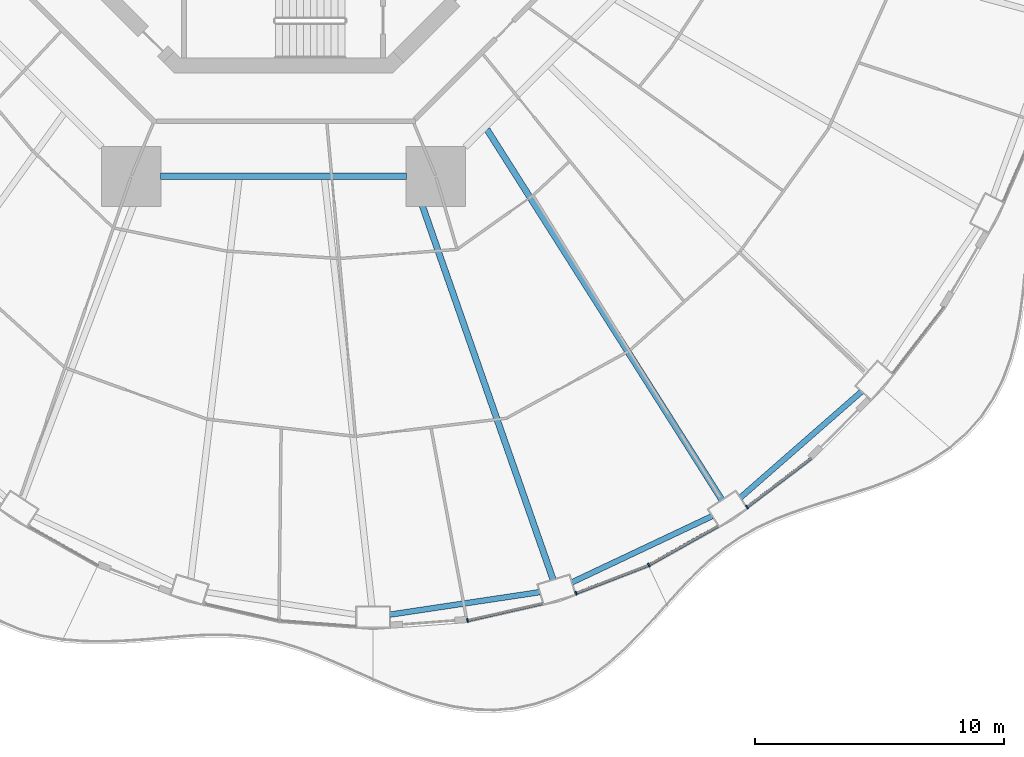
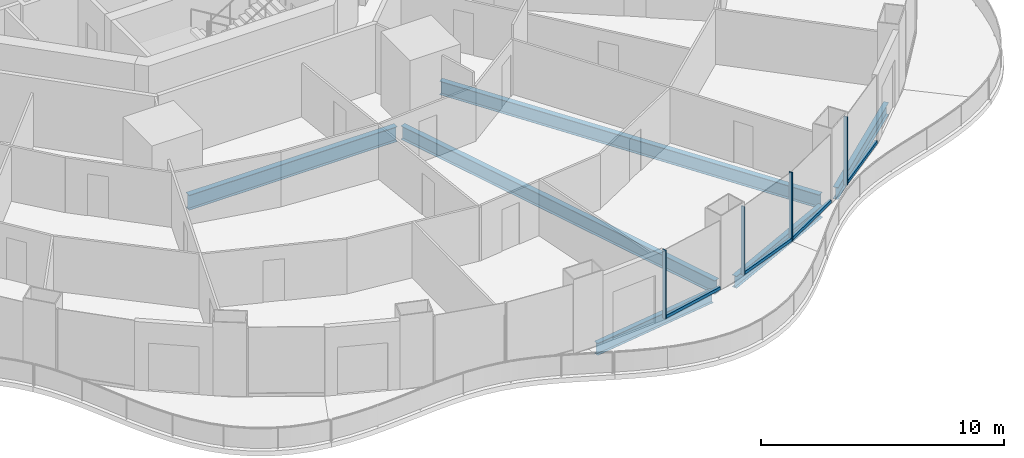
# One storey, part 4 of 21: 8 members, 6 beams, 4 elements without a shape of their own.
"""IFC4 building model written with IfcOpenShell, lengths in metres."""

from ifc_helpers import new_model, si_unit, direction, frame, origin, origin_2d, place, context, subcontext, project, spatial, rectangle, i_section, extrude, material, layer, layer_set, material_profile, profile_set, type_object, element, aggregate, save


model = new_model("IFC4")

# Units and contexts
model_context = context("Model", 3, precision=1e-05, world=origin(), true_north=direction((0.0, 1.0)))
body_context = subcontext(model_context, "Body", "Model", "MODEL_VIEW")
ifc_project = project(units=[si_unit("LENGTHUNIT", "METRE"), si_unit("AREAUNIT", "SQUARE_METRE"), si_unit("VOLUMEUNIT", "CUBIC_METRE"), si_unit("PLANEANGLEUNIT", "RADIAN"), si_unit("MASSUNIT", "GRAM", prefix="KILO")], contexts=[model_context])

# Site, building, storey
site_placement = place(None, origin())
site = spatial("IfcSite", under=ifc_project, at=site_placement, CompositionType="ELEMENT")
building_placement = place(site_placement, origin())
building = spatial("IfcBuilding", under=site, at=building_placement, Name="Nagisa Residences", CompositionType="ELEMENT")
storey_placement = place(building_placement, frame((0.0, 0.0, 60.300048828125)))
storey = spatial("IfcBuildingStorey", under=building, at=storey_placement, Name="L14", CompositionType="ELEMENT", Elevation=60.300048828125)

# Curtain wall, member
ifc_material_1 = material(Name="Concrete-coloured aluminium curtain wall system", Category="concrete")
ifc_layer = layer(ifc_material_1, 0.159912109375)
ifc_layer_set = layer_set([ifc_layer], Name="CW1 CURTAIN WALL")
curtain_wall_type = type_object("IfcCurtainWallType", Name="CW1 CURTAIN WALL", PredefinedType="NOTDEFINED", material=ifc_layer_set)
curtain_wall_1_placement = place(storey_placement, origin())
curtain_wall_1 = element("IfcCurtainWall", 1, at=curtain_wall_1_placement, inside=storey, type_object=curtain_wall_type, Name="cw:CW1:L14:37", PredefinedType="NOTDEFINED")
ifc_material_2 = material(Name="Concrete-coloured aluminium", Category="concrete")
ifc_material_profile_1 = material_profile(ifc_material_2, rectangle(XDim=0.159912109375, YDim=0.06005859375, at=origin_2d()), Name="CW1 MULLION 160x60")
ifc_profile_set_1 = profile_set([ifc_material_profile_1], Name="Concrete-coloured aluminium")
member_type_1 = type_object("IfcMemberType", Name="CW1 MULLION 160x60", PredefinedType="MULLION", material=ifc_profile_set_1)
member_1_placement = place(storey_placement, frame((7.39697265625, -32.633056640625, 0.0), z_axis=(0.0, 0.0, 1.0), x_axis=(-0.2207639201, 0.975327274089, 0.0)))
member_1 = element("IfcMember", 2, at=member_1_placement, type_object=member_type_1, Name="CW1 mullion", PredefinedType="MULLION", context=body_context, shape_type="SweptSolid", body=[
    extrude(rectangle(XDim=0.159912109375, YDim=0.06005859375, at=origin_2d()), origin(), (0.0, 0.0, 1.0), 3.43994140625),
])

curtain_wall_2_placement = place(storey_placement, origin())
curtain_wall_2 = element("IfcCurtainWall", 3, at=curtain_wall_2_placement, inside=storey, type_object=curtain_wall_type, Name="cw:CW1:L14:38", PredefinedType="NOTDEFINED")
member_2_placement = place(storey_placement, frame((11.7578125, -31.537841796875, 0.0), z_axis=(0.0, 0.0, 1.0), x_axis=(-0.360327770268, 0.932825759707, 0.0)))
member_2 = element("IfcMember", 4, at=member_2_placement, type_object=member_type_1, Name="CW1 mullion", PredefinedType="MULLION", context=body_context, shape_type="SweptSolid", body=[
    extrude(rectangle(XDim=0.159912109375, YDim=0.06005859375, at=origin_2d()), origin(), (0.0, 0.0, 1.0), 3.43994140625),
])

curtain_wall_3_placement = place(storey_placement, origin())
curtain_wall_3 = element("IfcCurtainWall", 5, at=curtain_wall_3_placement, inside=storey, type_object=curtain_wall_type, Name="cw:CW1:L14:39", PredefinedType="NOTDEFINED")
member_3_placement = place(storey_placement, frame((14.684814453125, -30.403564453125, 0.0), z_axis=(0.0, 0.0, 1.0), x_axis=(-0.489376918501, 0.872072377523, 0.0)))
member_3 = element("IfcMember", 6, at=member_3_placement, type_object=member_type_1, Name="CW1 mullion", PredefinedType="MULLION", context=body_context, shape_type="SweptSolid", body=[
    extrude(rectangle(XDim=0.159912109375, YDim=0.06005859375, at=origin_2d()), origin(), (0.0, 0.0, 1.0), 3.43994140625),
])

curtain_wall_4_placement = place(storey_placement, origin())
curtain_wall_4 = element("IfcCurtainWall", 7, at=curtain_wall_4_placement, inside=storey, type_object=curtain_wall_type, Name="cw:CW1:L14:40", PredefinedType="NOTDEFINED")
member_4_placement = place(storey_placement, frame((18.632568359375, -28.0732421875, 0.0), z_axis=(0.0, 0.0, 1.0), x_axis=(-0.605255421737, 0.79603132756, 0.0)))
member_4 = element("IfcMember", 8, at=member_4_placement, type_object=member_type_1, Name="CW1 mullion", PredefinedType="MULLION", context=body_context, shape_type="SweptSolid", body=[
    extrude(rectangle(XDim=0.159912109375, YDim=0.06005859375, at=origin_2d()), origin(), (0.0, 0.0, 1.0), 3.43994140625),
])

# Member
ifc_material_3 = material(Name="Concrete-coloured aluminium", Category="concrete")
ifc_material_profile_2 = material_profile(ifc_material_3, rectangle(XDim=0.1201171875, YDim=0.14990234375, at=origin_2d()), Name="CW1 TRANSOM 120x150")
ifc_profile_set_2 = profile_set([ifc_material_profile_2], Name="Concrete-coloured aluminium")
member_type_2 = type_object("IfcMemberType", Name="CW1 TRANSOM 120x150", PredefinedType="USERDEFINED", material=ifc_profile_set_2)
member_5_placement = place(storey_placement, frame((7.36767578125, -32.6396484375, 0.074951171875), z_axis=(0.975331134677, 0.220746863466, 0.0), x_axis=(-0.220746863466, 0.975331134677, 0.0)))
member_5 = element("IfcMember", 9, at=member_5_placement, type_object=member_type_2, Name="CW1 transom", ObjectType="TRANSOM", PredefinedType="USERDEFINED", context=body_context, shape_type="SweptSolid", body=[
    extrude(rectangle(XDim=0.1201171875, YDim=0.14990234375, at=origin_2d()), origin(), (0.0, 0.0, 1.0), 3.114501953125),
])

aggregate(curtain_wall_1, [member_1, member_5])

member_6_placement = place(storey_placement, frame((11.72998046875, -31.548583984375, 0.074951171875), z_axis=(0.932825366452, 0.360328788337, 0.0), x_axis=(-0.360328788337, 0.932825366452, 0.0)))
member_6 = element("IfcMember", 10, at=member_6_placement, type_object=member_type_2, Name="CW1 transom", ObjectType="TRANSOM", PredefinedType="USERDEFINED", context=body_context, shape_type="SweptSolid", body=[
    extrude(rectangle(XDim=0.1201171875, YDim=0.14990234375, at=origin_2d()), origin(), (0.0, 0.0, 1.0), 3.150634765625),
])

aggregate(curtain_wall_2, [member_2, member_6])

member_7_placement = place(storey_placement, frame((14.65869140625, -30.418212890625, 0.074951171875), z_axis=(0.872070011948, 0.489381133946, 0.0), x_axis=(-0.489381133946, 0.872070011948, 0.0)))
member_7 = element("IfcMember", 11, at=member_7_placement, type_object=member_type_2, Name="CW1 transom", ObjectType="TRANSOM", PredefinedType="USERDEFINED", context=body_context, shape_type="SweptSolid", body=[
    extrude(rectangle(XDim=0.1201171875, YDim=0.14990234375, at=origin_2d()), origin(), (0.0, 0.0, 1.0), 3.201171875),
])

aggregate(curtain_wall_3, [member_3, member_7])

member_8_placement = place(storey_placement, frame((18.60888671875, -28.091552734375, 0.074951171875), z_axis=(0.79599487499, 0.605303361125, 0.0), x_axis=(-0.605303361125, 0.79599487499, 0.0)))
member_8 = element("IfcMember", 12, at=member_8_placement, type_object=member_type_2, Name="CW1 transom", ObjectType="TRANSOM", PredefinedType="USERDEFINED", context=body_context, shape_type="SweptSolid", body=[
    extrude(rectangle(XDim=0.1201171875, YDim=0.14990234375, at=origin_2d()), origin(), (0.0, 0.0, 1.0), 3.26220703125),
])

aggregate(curtain_wall_4, [member_4, member_8])

# Beams
ifc_material_4 = material(Name="Steel ASTM A572 Gr 50", Category="steel")
ifc_material_profile_3 = material_profile(ifc_material_4, i_section(OverallWidth=0.264892578125, OverallDepth=0.7529296875, WebThickness=0.01318359375, FlangeThickness=0.01708984375, at=origin_2d()), Name="W760x147")
ifc_profile_set_3 = profile_set([ifc_material_profile_3], Name="Steel ASTM A572 Gr 50")
beam_type_1 = type_object("IfcBeamType", Name="Inner ring beam W760x147", PredefinedType="BEAM", material=ifc_profile_set_3)
beam_1_placement = place(storey_placement, frame((-4.94287109375, -14.781982421875, -0.636474609375), z_axis=(1.0, 0.0, 0.0), x_axis=(0.0, 1.0, 0.0)))
element("IfcBeam", 13, at=beam_1_placement, inside=storey, type_object=beam_type_1, Name="beam:L14:ib6", PredefinedType="BEAM", context=body_context, shape_type="SweptSolid", body=[
    extrude(i_section(OverallWidth=0.264892578125, OverallDepth=0.7529296875, WebThickness=0.01318359375, FlangeThickness=0.01708984375, at=origin_2d()), origin(), (0.0, 0.0, 1.0), 9.8857421875),
])
ifc_material_5 = material(Name="Steel ASTM A572 Gr 50", Category="steel")
ifc_material_profile_4 = material_profile(ifc_material_5, i_section(OverallWidth=0.22802734375, OverallDepth=0.60302734375, WebThickness=0.010498046875, FlangeThickness=0.014892578125, at=origin_2d()), Name="W610x101")
ifc_profile_set_4 = profile_set([ifc_material_profile_4], Name="Steel ASTM A572 Gr 50")
beam_type_2 = type_object("IfcBeamType", Name="Perimeter ring beam W610x101", PredefinedType="BEAM", material=ifc_profile_set_4)
beam_2_placement = place(storey_placement, frame((4.2802734375, -32.39794921875, -0.5615234375), z_axis=(0.988914559467, 0.14848566959, 0.0), x_axis=(-0.14848566959, 0.988914559467, 0.0)))
element("IfcBeam", 14, at=beam_2_placement, inside=storey, type_object=beam_type_2, Name="beam:L14:pb19", PredefinedType="BEAM", context=body_context, shape_type="SweptSolid", body=[
    extrude(i_section(OverallWidth=0.22802734375, OverallDepth=0.60302734375, WebThickness=0.010498046875, FlangeThickness=0.014892578125, at=origin_2d()), origin(), (0.0, 0.0, 1.0), 6.08349609375),
])
beam_3_placement = place(storey_placement, frame((11.597900390625, -31.098876953125, -0.5615234375), z_axis=(0.904215426643, 0.427076646774, 0.0), x_axis=(-0.427076646774, 0.904215426643, 0.0)))
element("IfcBeam", 15, at=beam_3_placement, inside=storey, type_object=beam_type_2, Name="beam:L14:pb20", PredefinedType="BEAM", context=body_context, shape_type="SweptSolid", body=[
    extrude(i_section(OverallWidth=0.22802734375, OverallDepth=0.60302734375, WebThickness=0.010498046875, FlangeThickness=0.014892578125, at=origin_2d()), origin(), (0.0, 0.0, 1.0), 6.2275390625),
])
beam_4_placement = place(storey_placement, frame((18.36669921875, -27.693603515625, -0.5615234375), z_axis=(0.7525907186, 0.658488580217, 0.0), x_axis=(-0.658488580217, 0.7525907186, 0.0)))
element("IfcBeam", 16, at=beam_4_placement, inside=storey, type_object=beam_type_2, Name="beam:L14:pb21", PredefinedType="BEAM", context=body_context, shape_type="SweptSolid", body=[
    extrude(i_section(OverallWidth=0.22802734375, OverallDepth=0.60302734375, WebThickness=0.010498046875, FlangeThickness=0.014892578125, at=origin_2d()), origin(), (0.0, 0.0, 1.0), 6.470458984375),
])
ifc_material_6 = material(Name="Steel ASTM A572 Gr 50", Category="steel")
ifc_material_profile_5 = material_profile(ifc_material_6, i_section(OverallWidth=0.25390625, OverallDepth=0.68408203125, WebThickness=0.012451171875, FlangeThickness=0.018798828125, at=origin_2d()), Name="W690x140")
ifc_profile_set_5 = profile_set([ifc_material_profile_5], Name="Steel ASTM A572 Gr 50")
beam_type_3 = type_object("IfcBeamType", Name="Radial beam W690x140", PredefinedType="BEAM", material=ifc_profile_set_5)
beam_5_placement = place(storey_placement, frame((10.834228515625, -30.986328125, -0.60205078125), z_axis=(-0.330051195485, 0.943963033364, 0.0), x_axis=(-0.943963033364, -0.330051195485, 0.0)))
element("IfcBeam", 17, at=beam_5_placement, inside=storey, type_object=beam_type_3, Name="beam:L14:rb20", PredefinedType="BEAM", context=body_context, shape_type="SweptSolid", body=[
    extrude(i_section(OverallWidth=0.25390625, OverallDepth=0.68408203125, WebThickness=0.012451171875, FlangeThickness=0.018798828125, at=origin_2d()), origin(), (0.0, 0.0, 1.0), 17.045654296875),
])
beam_6_placement = place(storey_placement, frame((17.61962890625, -27.78271484375, -0.60205078125), z_axis=(-0.53556610664, 0.844493306911, 0.0), x_axis=(-0.844493306911, -0.53556610664, 0.0)))
element("IfcBeam", 18, at=beam_6_placement, inside=storey, type_object=beam_type_3, Name="beam:L14:rb21", PredefinedType="BEAM", context=body_context, shape_type="SweptSolid", body=[
    extrude(i_section(OverallWidth=0.25390625, OverallDepth=0.68408203125, WebThickness=0.012451171875, FlangeThickness=0.018798828125, at=origin_2d()), origin(), (0.0, 0.0, 1.0), 17.63525390625),
])

save(model, "model.ifc")
